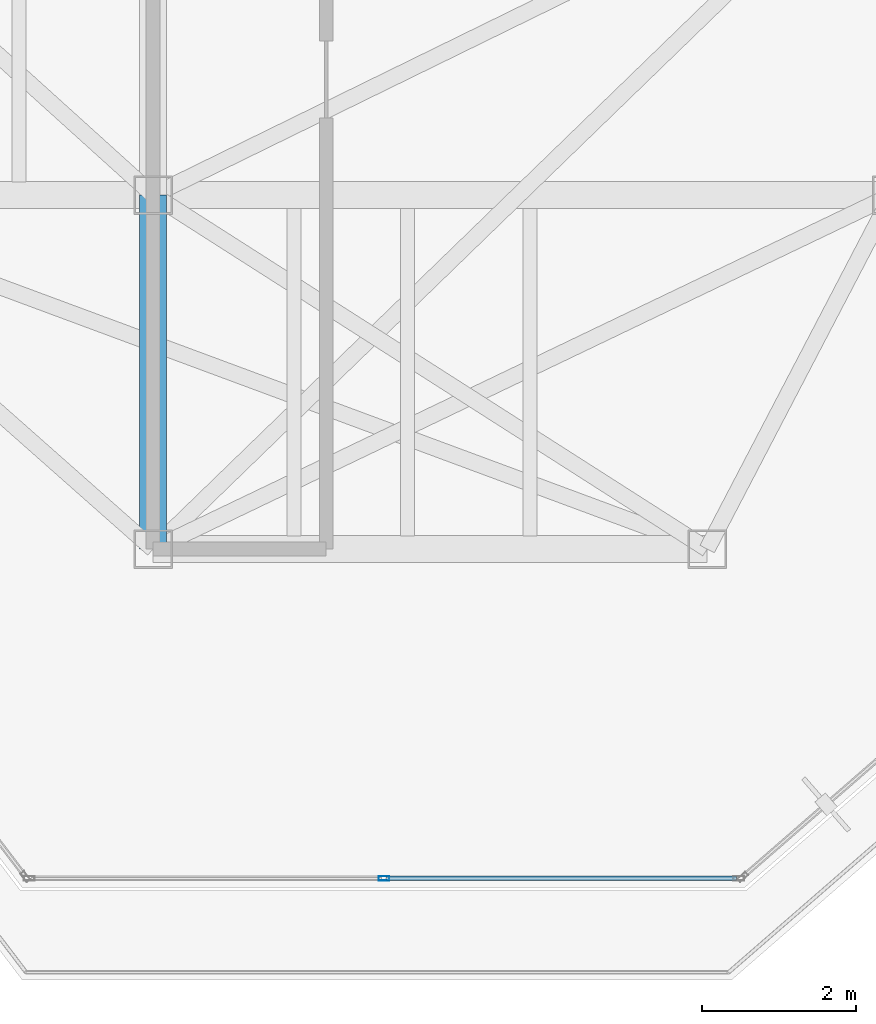
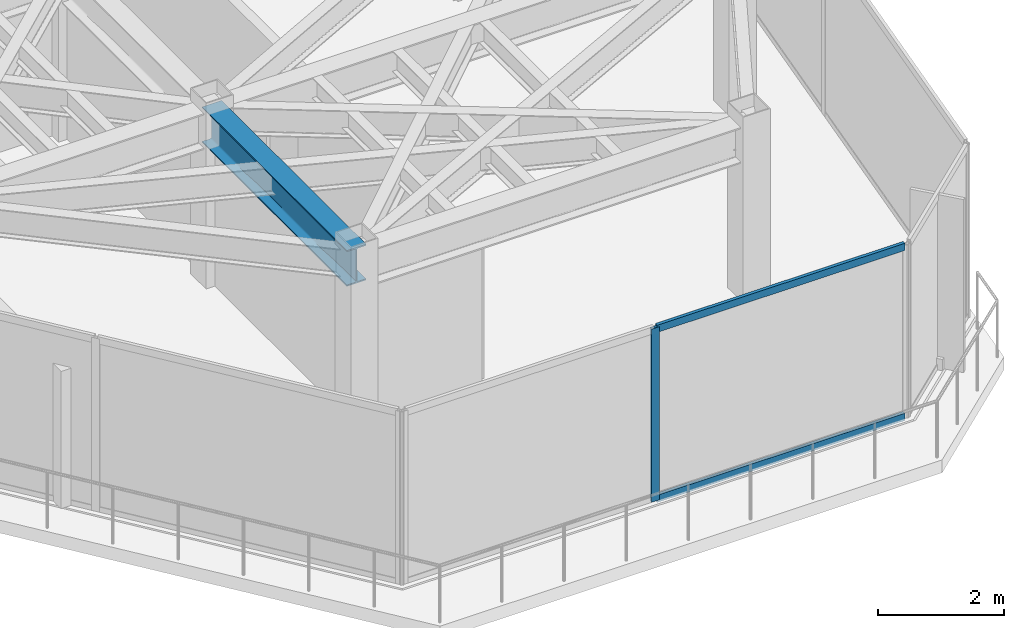
# One storey, part 9 of 20: 3 members, 1 beam, 1 element without a shape of its own.
"""IFC4 building model written with IfcOpenShell, lengths in metres."""

from ifc_helpers import new_model, si_unit, direction, frame, origin, origin_2d, place, context, subcontext, project, spatial, hollow_rectangle, i_section, extrude, material, layer, layer_set, material_profile, profile_set, type_object, element, aggregate, save


model = new_model("IFC4")

# Units and contexts
model_context = context("Model", 3, precision=1e-05, world=origin(), true_north=direction((0.0, 1.0)))
body_context = subcontext(model_context, "Body", "Model", "MODEL_VIEW")
ifc_project = project(units=[si_unit("LENGTHUNIT", "METRE"), si_unit("AREAUNIT", "SQUARE_METRE"), si_unit("VOLUMEUNIT", "CUBIC_METRE"), si_unit("PLANEANGLEUNIT", "RADIAN"), si_unit("MASSUNIT", "GRAM", prefix="KILO")], contexts=[model_context])

# Site, building, storey
site_placement = place(None, origin())
site = spatial("IfcSite", under=ifc_project, at=site_placement, CompositionType="ELEMENT")
building_placement = place(site_placement, origin())
building = spatial("IfcBuilding", under=site, at=building_placement, Name="Kravanh Interchange Tower", CompositionType="ELEMENT")
storey_placement = place(building_placement, frame((0.0, 0.0, 245.39990234375)))
storey = spatial("IfcBuildingStorey", under=building, at=storey_placement, Name="L59", CompositionType="ELEMENT", Elevation=245.39990234375)

# Curtain wall, members
ifc_material_1 = material(Name="Anodised Bronze Aluminium", Category="aluminium")
ifc_layer = layer(ifc_material_1, 0.179931640625)
ifc_layer_set = layer_set([ifc_layer], Name="Unitised Curtain Wall System CW-HTL Luxury Hotel")
curtain_wall_type = type_object("IfcCurtainWallType", Name="Unitised Curtain Wall System CW-HTL Luxury Hotel", PredefinedType="NOTDEFINED", material=ifc_layer_set)
curtain_wall_placement = place(storey_placement, origin())
curtain_wall = element("IfcCurtainWall", 1, at=curtain_wall_placement, inside=storey, type_object=curtain_wall_type, Name="L59 Unitised Curtain Wall CW-L59-03", PredefinedType="NOTDEFINED")
ifc_material_2 = material(Name="Anodised Bronze Aluminium", Category="aluminium")
ifc_material_profile_1 = material_profile(ifc_material_2, hollow_rectangle(XDim=0.06005859375, YDim=0.139892578125, WallThickness=0.00390625, at=origin_2d()), Name="ALU60X140X4")
ifc_profile_set_1 = profile_set([ifc_material_profile_1], Name="Anodised Bronze Aluminium")
member_type_1 = type_object("IfcMemberType", Name="Curtain Wall Mullion ALU60X140X4 Bronze", PredefinedType="MULLION", material=ifc_profile_set_1)
member_1_placement = place(storey_placement, frame((59.0, 17.919921875, 0.0), z_axis=(0.0, 0.0, 1.0), x_axis=(0.0, -1.0, 0.0)))
member_1 = element("IfcMember", 2, at=member_1_placement, type_object=member_type_1, Name="CW-HTL mullion 2", PredefinedType="MULLION", context=body_context, shape_type="SweptSolid", body=[
    extrude(hollow_rectangle(XDim=0.06005859375, YDim=0.139892578125, WallThickness=0.00390625, at=origin_2d()), origin(), (0.0, 0.0, 1.0), 3.360107421875),
])
ifc_material_3 = material(Name="Anodised Bronze Aluminium", Category="aluminium")
ifc_material_profile_2 = material_profile(ifc_material_3, hollow_rectangle(XDim=0.06005859375, YDim=0.139892578125, WallThickness=0.00390625, at=origin_2d()), Name="ALU60X140X4")
ifc_profile_set_2 = profile_set([ifc_material_profile_2], Name="Anodised Bronze Aluminium")
member_type_2 = type_object("IfcMemberType", Name="Curtain Wall Transom ALU60X140X4 Bronze", PredefinedType="USERDEFINED", material=ifc_profile_set_2)
member_2_placement = place(storey_placement, frame((63.58056640625, 17.919921875, 0.030029296875), z_axis=(-1.0, 0.0, 0.0), x_axis=(0.0, -1.0, 0.0)))
member_2 = element("IfcMember", 3, at=member_2_placement, type_object=member_type_2, Name="CW-HTL transom 1.1", ObjectType="TRANSOM", PredefinedType="USERDEFINED", context=body_context, shape_type="SweptSolid", body=[
    extrude(hollow_rectangle(XDim=0.06005859375, YDim=0.139892578125, WallThickness=0.00390625, at=origin_2d()), origin(), (0.0, 0.0, 1.0), 4.550537109375),
])
member_3_placement = place(storey_placement, frame((63.58056640625, 17.919921875, 3.330078125), z_axis=(-1.0, 0.0, 0.0), x_axis=(0.0, -1.0, 0.0)))
member_3 = element("IfcMember", 4, at=member_3_placement, type_object=member_type_2, Name="CW-HTL transom 1.2", ObjectType="TRANSOM", PredefinedType="USERDEFINED", context=body_context, shape_type="SweptSolid", body=[
    extrude(hollow_rectangle(XDim=0.06005859375, YDim=0.139892578125, WallThickness=0.00390625, at=origin_2d()), origin(), (0.0, 0.0, 1.0), 4.550537109375),
])
aggregate(curtain_wall, [member_1, member_2, member_3])

# Beam
ifc_material_4 = material(Name="Structural Steel S355", Category="steel")
ifc_material_profile_3 = material_profile(ifc_material_4, i_section(OverallWidth=0.35498046875, OverallDepth=0.696044921875, WebThickness=0.015380859375, FlangeThickness=0.02490234375, FilletRadius=0.02392578125, at=origin_2d()), Name="W27X146")
ifc_profile_set_3 = profile_set([ifc_material_profile_3], Name="Structural Steel S355")
beam_type = type_object("IfcBeamType", Name="Floor Beam W27X146 Structural Steel S355", PredefinedType="BEAM", material=ifc_profile_set_3)
beam_placement = place(storey_placement, frame((56.0, 26.800048828125, 3.01220703125), z_axis=(0.0, -1.0, 0.0), x_axis=(1.0, 0.0, 0.0)))
element("IfcBeam", 5, at=beam_placement, inside=storey, type_object=beam_type, Name="L59 Primary Floor Girder 34", PredefinedType="BEAM", context=body_context, shape_type="SweptSolid", body=[
    extrude(i_section(OverallWidth=0.35498046875, OverallDepth=0.696044921875, WebThickness=0.015380859375, FlangeThickness=0.02490234375, FilletRadius=0.02392578125, at=origin_2d()), origin(), (0.0, 0.0, 1.0), 4.60009765625),
])

save(model, "model.ifc")
